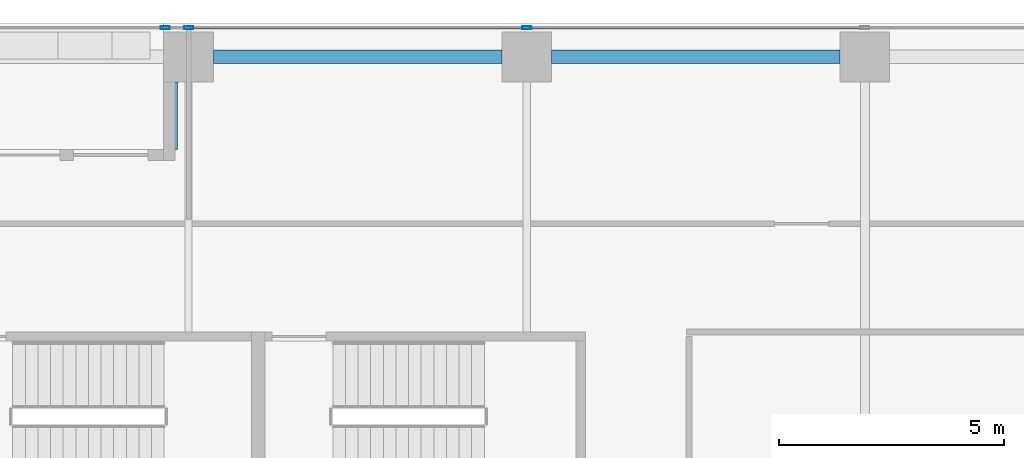
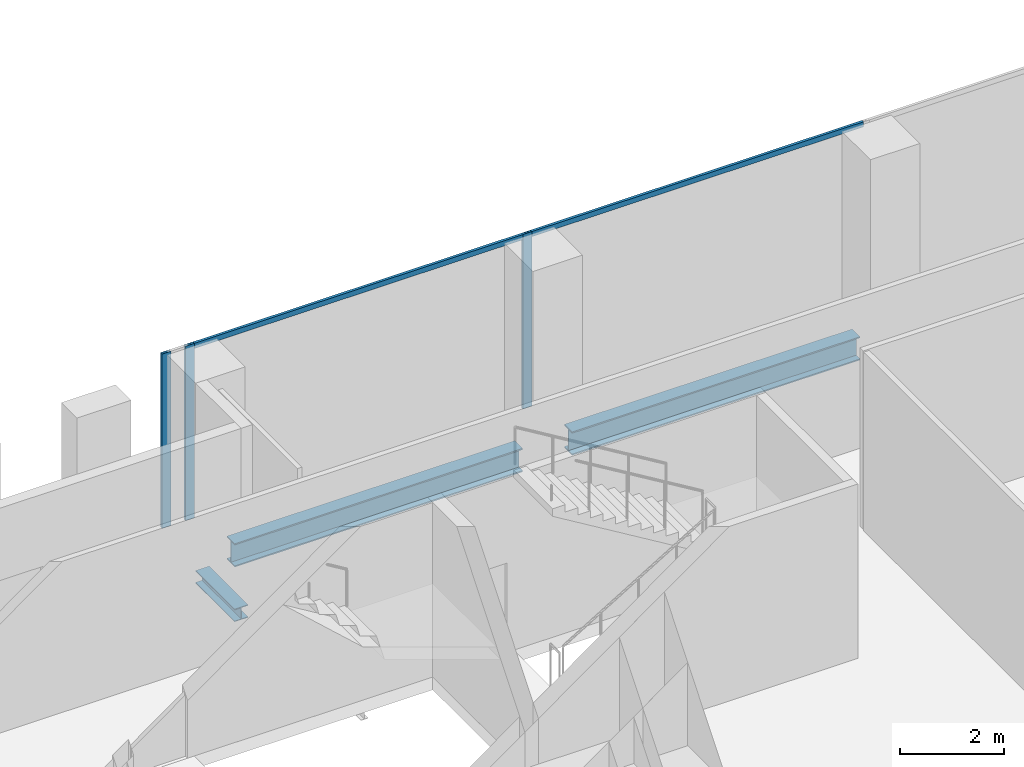
# One storey, part 17 of 34: 5 members, 3 beams, 1 element without a shape of its own.
"""IFC4 building model written with IfcOpenShell, lengths in metres."""

from ifc_helpers import new_model, si_unit, direction, frame, origin, origin_2d, place, context, subcontext, project, spatial, hollow_rectangle, i_section, extrude, source, transform, mapped, material, material_profile, profile_set, type_object, element, aggregate, save


model = new_model("IFC4")

# Units and contexts
model_context = context("Model", 3, precision=1e-05, world=origin(), true_north=direction((0.0, 1.0)))
body_context = subcontext(model_context, "Body", "Model", "MODEL_VIEW")
ifc_project = project(units=[si_unit("LENGTHUNIT", "METRE"), si_unit("AREAUNIT", "SQUARE_METRE"), si_unit("VOLUMEUNIT", "CUBIC_METRE"), si_unit("PLANEANGLEUNIT", "RADIAN"), si_unit("MASSUNIT", "GRAM", prefix="KILO")], contexts=[model_context])

# Site, building, storey
site_placement = place(None, origin())
site = spatial("IfcSite", under=ifc_project, at=site_placement, CompositionType="ELEMENT")
building_placement = place(site_placement, origin())
building = spatial("IfcBuilding", under=site, at=building_placement, Name="Khomas Fold Tower", CompositionType="ELEMENT")
storey_placement = place(building_placement, frame((0.0, 0.0, 110.300048828125)))
storey = spatial("IfcBuildingStorey", under=building, at=storey_placement, Name="L23", CompositionType="ELEMENT", Elevation=110.300048828125)

# Beams
ifc_material_1 = material(Name="Steel S355", Category="steel")
ifc_material_profile_1 = material_profile(ifc_material_1, i_section(OverallWidth=0.300048828125, OverallDepth=0.550048828125, WebThickness=0.014892578125, FlangeThickness=0.029052734375, at=origin_2d()), Name="HE 550 B")
ifc_profile_set_1 = profile_set([ifc_material_profile_1], Name="Steel S355")
beam_type_1 = type_object("IfcBeamType", Name="HE 550 B spandrel SB2", PredefinedType="SPANDREL", material=ifc_profile_set_1)
shared_shape_1 = source(origin(), body_context, "Body", "SweptSolid", [
    extrude(i_section(OverallWidth=0.300048828125, OverallDepth=0.550048828125, WebThickness=0.014892578125, FlangeThickness=0.029052734375, at=origin_2d()), origin(), (0.0, 0.0, 1.0), 6.39990234375),
])
for number, where, z_axis, x_axis, name in (
    (1, (27.550048828125, 51.75, -0.574951171875), (1.0, 0.0, 0.0), (0.0, 1.0, 0.0), "SB2"),
    (2, (20.050048828125, 51.75, -0.574951171875), (1.0, 0.0, 0.0), (0.0, 1.0, 0.0), "SB2"),
):
    element("IfcBeam", number, at=place(storey_placement, frame(where, z_axis=z_axis, x_axis=x_axis)), inside=storey, type_object=beam_type_1, Name=name, PredefinedType="SPANDREL", context=body_context, shape_type="MappedRepresentation", body=[
        mapped(shared_shape_1, transform((0.0, 0.0, 0.0))),
    ])
ifc_material_2 = material(Name="Steel S355", Category="steel")
ifc_material_profile_2 = material_profile(ifc_material_2, i_section(OverallWidth=0.300048828125, OverallDepth=0.300048828125, WebThickness=0.010986328125, FlangeThickness=0.01904296875, at=origin_2d()), Name="HE 300 B")
ifc_profile_set_2 = profile_set([ifc_material_profile_2], Name="Steel S355")
beam_type_2 = type_object("IfcBeamType", Name="HE 300 B beam BB1", PredefinedType="BEAM", material=ifc_profile_set_2)
shared_shape_2 = source(origin(), body_context, "Body", "SweptSolid", [
    extrude(i_section(OverallWidth=0.300048828125, OverallDepth=0.300048828125, WebThickness=0.010986328125, FlangeThickness=0.01904296875, at=origin_2d()), origin(), (0.0, 0.0, 1.0), 1.5),
])
beam_placement = place(storey_placement, frame((19.10009765625, 49.699951171875, -0.449951171875), z_axis=(0.0, 1.0, 0.0), x_axis=(-1.0, 0.0, 0.0)))
element("IfcBeam", 3, at=beam_placement, inside=storey, type_object=beam_type_2, Name="BB1", PredefinedType="BEAM", context=body_context, shape_type="MappedRepresentation", body=[
    mapped(shared_shape_2, transform((0.0, 0.0, 0.0))),
])

# Curtain wall, members
ifc_material_3 = material(Name="Aluminium framed double glazing", Category="aluminium")
curtain_wall_type = type_object("IfcCurtainWallType", Name="SK-Unitised clear-glass wall, growing floors CW1", PredefinedType="NOTDEFINED", material=ifc_material_3)
curtain_wall_placement = place(storey_placement, origin())
curtain_wall = element("IfcCurtainWall", 4, at=curtain_wall_placement, inside=storey, type_object=curtain_wall_type, Name="CW1 run L23 06-0", PredefinedType="NOTDEFINED")
ifc_material_4 = material(Name="Aluminium", Category="aluminium")
ifc_material_profile_3 = material_profile(ifc_material_4, hollow_rectangle(XDim=0.06005859375, YDim=0.1201171875, WallThickness=0.00390625, at=origin_2d()), Name="SK-Unitised clear-glass wall, growing floors transom CW1-T")
ifc_profile_set_3 = profile_set([ifc_material_profile_3], Name="Aluminium")
member_type_1 = type_object("IfcMemberType", Name="SK-Unitised clear-glass wall, growing floors transom CW1-T", PredefinedType="USERDEFINED", material=ifc_profile_set_3)
shared_shape_3 = source(origin(), body_context, "Body", "SweptSolid", [
    extrude(hollow_rectangle(XDim=0.06005859375, YDim=0.1201171875, WallThickness=0.00390625, at=origin_2d()), origin(), (0.0, 0.0, 1.0), 7.43994140625),
])
member_1_placement = place(storey_placement, frame((34.469970703125, 52.39990234375, 4.0400390625), z_axis=(-1.0, 0.0, 0.0), x_axis=(0.0, -1.0, 0.0)))
member_1 = element("IfcMember", 5, at=member_1_placement, type_object=member_type_1, Name="CW1 transom 4", ObjectType="TRANSOM", PredefinedType="USERDEFINED", context=body_context, shape_type="MappedRepresentation", body=[
    mapped(shared_shape_3, transform((0.0, 0.0, 0.0))),
])
member_2_placement = place(storey_placement, frame((26.969970703125, 52.39990234375, 4.0400390625), z_axis=(-1.0, 0.0, 0.0), x_axis=(0.0, -1.0, 0.0)))
member_2 = element("IfcMember", 6, at=member_2_placement, type_object=member_type_1, Name="CW1 transom 5", ObjectType="TRANSOM", PredefinedType="USERDEFINED", context=body_context, shape_type="MappedRepresentation", body=[
    mapped(shared_shape_3, transform((0.0, 0.0, 0.0))),
])
ifc_material_5 = material(Name="Aluminium", Category="aluminium")
ifc_material_profile_4 = material_profile(ifc_material_5, hollow_rectangle(XDim=0.06005859375, YDim=0.199951171875, WallThickness=0.00390625, at=origin_2d()), Name="SK-Unitised clear-glass wall, growing floors mullion CW1-M")
ifc_profile_set_4 = profile_set([ifc_material_profile_4], Name="Aluminium")
member_type_2 = type_object("IfcMemberType", Name="SK-Unitised clear-glass wall, growing floors mullion CW1-M", PredefinedType="MULLION", material=ifc_profile_set_4)
shared_shape_4 = source(origin(), body_context, "Body", "SweptSolid", [
    extrude(hollow_rectangle(XDim=0.06005859375, YDim=0.199951171875, WallThickness=0.00390625, at=origin_2d()), origin(), (0.0, 0.0, 1.0), 4.099853515625),
])
member_3_placement = place(storey_placement, frame((27.0, 52.39990234375, 0.0), z_axis=(0.0, 0.0, 1.0), x_axis=(0.0, -1.0, 0.0)))
member_3 = element("IfcMember", 7, at=member_3_placement, type_object=member_type_2, Name="CW1 mullion 5", PredefinedType="MULLION", context=body_context, shape_type="MappedRepresentation", body=[
    mapped(shared_shape_4, transform((0.0, 0.0, 0.0))),
])
member_4_placement = place(storey_placement, frame((19.5, 52.39990234375, 0.0), z_axis=(0.0, 0.0, 1.0), x_axis=(0.0, -1.0, 0.0)))
member_4 = element("IfcMember", 8, at=member_4_placement, type_object=member_type_2, Name="CW1 mullion 6", PredefinedType="MULLION", context=body_context, shape_type="MappedRepresentation", body=[
    mapped(shared_shape_4, transform((0.0, 0.0, 0.0))),
])
member_5_placement = place(storey_placement, frame((18.97998046875, 52.39990234375, 0.0), z_axis=(0.0, 0.0, 1.0), x_axis=(0.0, -1.0, 0.0)))
member_5 = element("IfcMember", 9, at=member_5_placement, type_object=member_type_2, Name="CW1 mullion 7", PredefinedType="MULLION", context=body_context, shape_type="MappedRepresentation", body=[
    mapped(shared_shape_4, transform((0.0, 0.0, 0.0))),
])
aggregate(curtain_wall, [member_3, member_4, member_5, member_1, member_2])

save(model, "model.ifc")
